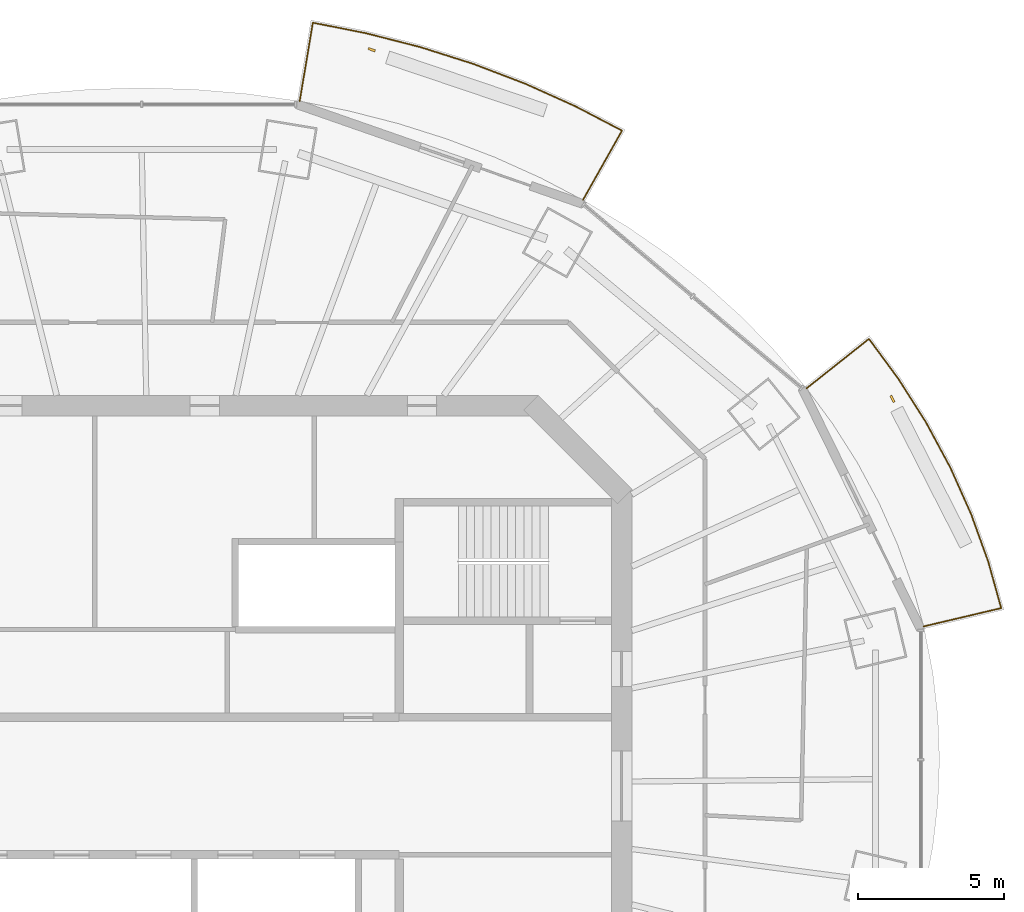
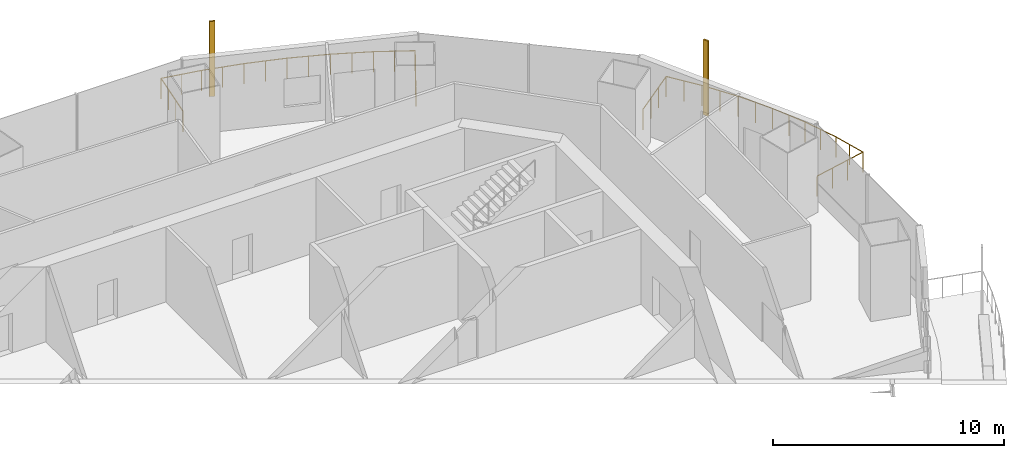
# One storey, part 15 of 16: 2 railings, 2 shading devices.
"""IFC4 building model written with IfcOpenShell, lengths in metres."""

from ifc_helpers import new_model, si_unit, direction, frame, origin, origin_2d, place, context, subcontext, project, spatial, rectangle, circle, extrude, material, material_profile, profile_set, type_object, element, save


model = new_model("IFC4")

# Units and contexts
model_context = context("Model", 3, precision=1e-05, world=origin(), true_north=direction((0.0, 1.0)))
body_context = subcontext(model_context, "Body", "Model", "MODEL_VIEW")
ifc_project = project(units=[si_unit("LENGTHUNIT", "METRE"), si_unit("AREAUNIT", "SQUARE_METRE"), si_unit("VOLUMEUNIT", "CUBIC_METRE"), si_unit("PLANEANGLEUNIT", "RADIAN"), si_unit("MASSUNIT", "GRAM", prefix="KILO")], contexts=[model_context])

# Site, building, storey
site_placement = place(None, origin())
site = spatial("IfcSite", under=ifc_project, at=site_placement, CompositionType="ELEMENT")
building_placement = place(site_placement, origin())
building = spatial("IfcBuilding", under=site, at=building_placement, Name="Marenthal Gate Tower", CompositionType="ELEMENT")
storey_placement = place(building_placement, frame((0.0, 0.0, 338.449951171875)))
storey = spatial("IfcBuildingStorey", under=building, at=storey_placement, Name="L76", CompositionType="ELEMENT", Elevation=338.449951171875)

# Railings
ifc_material_1 = material(Name="Stainless steel", Category="steel")
railing_type = type_object("IfcRailingType", Name="Balcony guard 1100", PredefinedType="GUARDRAIL", material=ifc_material_1)
railing_1_placement = place(storey_placement, frame((22.322998046875, 13.59423828125, 0.0)))
element("IfcRailing", 1, at=railing_1_placement, inside=storey, type_object=railing_type, Name="Balcony guard L76 bay 1", PredefinedType="GUARDRAIL", context=body_context, shape_type="SweptSolid", body=[
    extrude(circle(Radius=0.02392578125, at=origin_2d()), frame((0.0, 0.0, 1.076171875), z_axis=(0.783569480419, 0.621129810329, -0.01471829055), x_axis=(-0.621197098339, 0.783654365786, 0.0)), (0.0, 0.0, 1.0), 2.720458984375),
    extrude(circle(Radius=0.02392578125, at=origin_2d()), frame((2.131591796875, 1.689697265625, 1.0361328125), z_axis=(0.592673479354, -0.805442826569, 0.0), x_axis=(0.805442826569, 0.592673479354, 0.0)), (0.0, 0.0, 1.0), 1.69580078125),
    extrude(circle(Radius=0.02392578125, at=origin_2d()), frame((3.13671875, 0.32373046875, 1.0361328125), z_axis=(0.535835828865, -0.844322192356, 0.0), x_axis=(0.844322192356, 0.535835828865, 0.0)), (0.0, 0.0, 1.0), 1.76318359375),
    extrude(circle(Radius=0.02392578125, at=origin_2d()), frame((4.08154296875, -1.1650390625, 1.0361328125), z_axis=(0.4738837096, -0.880587434487, 0.0), x_axis=(0.880587434487, 0.4738837096, 0.0)), (0.0, 0.0, 1.0), 1.751708984375),
    extrude(circle(Radius=0.02392578125, at=origin_2d()), frame((4.91162109375, -2.70751953125, 1.0361328125), z_axis=(0.40786794588, -0.91304092938, 0.0), x_axis=(0.91304092938, 0.40786794588, 0.0)), (0.0, 0.0, 1.0), 1.7412109375),
    extrude(circle(Radius=0.02392578125, at=origin_2d()), frame((5.621826171875, -4.29736328125, 1.0361328125), z_axis=(0.338924060667, -0.940813733478, 0.0), x_axis=(0.940813733478, 0.338924060667, 0.0)), (0.0, 0.0, 1.0), 1.732421875),
    extrude(circle(Radius=0.02392578125, at=origin_2d()), frame((6.208984375, -5.92724609375, 1.0361328125), z_axis=(0.268600452735, -0.963251678841, 0.0), x_axis=(0.963251678841, 0.268600452735, 0.0)), (0.0, 0.0, 1.0), 1.645263671875),
    extrude(circle(Radius=0.02392578125, at=origin_2d()), frame((6.65087890625, -7.511962890625, 1.0361328125), z_axis=(-0.97315730439, -0.229669790827, 0.014718970573), x_axis=(0.229694673631, -0.973262737859, 0.0)), (0.0, 0.0, 1.0), 2.72021484375),
    extrude(circle(Radius=0.02099609375, at=origin_2d()), origin(), (0.0, 0.0, 1.0), 1.052001953125),
    extrude(circle(Radius=0.02099609375, at=origin_2d()), frame((0.71044921875, 0.563232421875, -0.013427734375)), (0.0, 0.0, 1.0), 1.052001953125),
    extrude(circle(Radius=0.02099609375, at=origin_2d()), frame((1.421142578125, 1.12646484375, -0.026611328125)), (0.0, 0.0, 1.0), 1.052001953125),
    extrude(circle(Radius=0.02099609375, at=origin_2d()), frame((2.131591796875, 1.689697265625, -0.0400390625)), (0.0, 0.0, 1.0), 1.052001953125),
    extrude(circle(Radius=0.02099609375, at=origin_2d()), frame((2.63427734375, 1.0068359375, -0.0400390625)), (0.0, 0.0, 1.0), 1.052001953125),
    extrude(circle(Radius=0.02099609375, at=origin_2d()), frame((3.13671875, 0.32373046875, -0.0400390625)), (0.0, 0.0, 1.0), 1.052001953125),
    extrude(circle(Radius=0.02099609375, at=origin_2d()), frame((3.609130859375, -0.420654296875, -0.0400390625)), (0.0, 0.0, 1.0), 1.052001953125),
    extrude(circle(Radius=0.02099609375, at=origin_2d()), frame((4.08154296875, -1.1650390625, -0.0400390625)), (0.0, 0.0, 1.0), 1.052001953125),
    extrude(circle(Radius=0.02099609375, at=origin_2d()), frame((4.49658203125, -1.936279296875, -0.0400390625)), (0.0, 0.0, 1.0), 1.052001953125),
    extrude(circle(Radius=0.02099609375, at=origin_2d()), frame((4.91162109375, -2.70751953125, -0.0400390625)), (0.0, 0.0, 1.0), 1.052001953125),
    extrude(circle(Radius=0.02099609375, at=origin_2d()), frame((5.2666015625, -3.50244140625, -0.0400390625)), (0.0, 0.0, 1.0), 1.052001953125),
    extrude(circle(Radius=0.02099609375, at=origin_2d()), frame((5.621826171875, -4.29736328125, -0.0400390625)), (0.0, 0.0, 1.0), 1.052001953125),
    extrude(circle(Radius=0.02099609375, at=origin_2d()), frame((5.91552734375, -5.1123046875, -0.0400390625)), (0.0, 0.0, 1.0), 1.052001953125),
    extrude(circle(Radius=0.02099609375, at=origin_2d()), frame((6.208984375, -5.92724609375, -0.0400390625)), (0.0, 0.0, 1.0), 1.052001953125),
    extrude(circle(Radius=0.02099609375, at=origin_2d()), frame((6.429931640625, -6.7197265625, -0.0400390625)), (0.0, 0.0, 1.0), 1.052001953125),
    extrude(circle(Radius=0.02099609375, at=origin_2d()), frame((6.65087890625, -7.511962890625, -0.0400390625)), (0.0, 0.0, 1.0), 1.052001953125),
    extrude(circle(Radius=0.02099609375, at=origin_2d()), frame((5.7685546875, -7.72021484375, -0.026611328125)), (0.0, 0.0, 1.0), 1.052001953125),
    extrude(circle(Radius=0.02099609375, at=origin_2d()), frame((4.885986328125, -7.928466796875, -0.013427734375)), (0.0, 0.0, 1.0), 1.052001953125),
    extrude(circle(Radius=0.02099609375, at=origin_2d()), frame((4.003662109375, -8.13671875, 0.0)), (0.0, 0.0, 1.0), 1.052001953125),
])
railing_2_placement = place(storey_placement, frame((4.998779296875, 23.407470703125, 0.0)))
element("IfcRailing", 2, at=railing_2_placement, inside=storey, type_object=railing_type, Name="Balcony guard L76 bay 3", PredefinedType="GUARDRAIL", context=body_context, shape_type="SweptSolid", body=[
    extrude(circle(Radius=0.02392578125, at=origin_2d()), frame((0.0, 0.0, 1.076171875), z_axis=(0.165312526275, 0.986131399953, -0.014718379104), x_axis=(-0.98623823047, 0.165330435068, 0.0)), (0.0, 0.0, 1.0), 2.720458984375),
    extrude(circle(Radius=0.02392578125, at=origin_2d()), frame((0.44970703125, 2.6826171875, 1.0361328125), z_axis=(0.981021353845, -0.193899724859, 0.0), x_axis=(0.193899724859, 0.981021353845, 0.0)), (0.0, 0.0, 1.0), 1.84326171875),
    extrude(circle(Radius=0.02392578125, at=origin_2d()), frame((2.258056640625, 2.3251953125, 1.0361328125), z_axis=(0.96890861354, -0.24741887278, 0.0), x_axis=(0.24741887278, 0.96890861354, 0.0)), (0.0, 0.0, 1.0), 1.916259765625),
    extrude(circle(Radius=0.02392578125, at=origin_2d()), frame((4.11474609375, 1.85107421875, 1.0361328125), z_axis=(0.953251321023, -0.302178620963, 0.0), x_axis=(0.302178620963, 0.953251321023, 0.0)), (0.0, 0.0, 1.0), 1.907470703125),
    extrude(circle(Radius=0.02392578125, at=origin_2d()), frame((5.93310546875, 1.274658203125, 1.0361328125), z_axis=(0.934293977025, -0.356503526623, 0.0), x_axis=(0.356503526623, 0.934293977025, 0.0)), (0.0, 0.0, 1.0), 1.897705078125),
    extrude(circle(Radius=0.02392578125, at=origin_2d()), frame((7.7060546875, 0.59814453125, 1.0361328125), z_axis=(0.91188517307, -0.410445405792, 0.0), x_axis=(0.410445405792, 0.91188517307, 0.0)), (0.0, 0.0, 1.0), 1.88623046875),
    extrude(circle(Radius=0.02392578125, at=origin_2d()), frame((9.426025390625, -0.176025390625, 1.0361328125), z_axis=(0.886478038646, -0.462770663503, 0.0), x_axis=(0.462770663503, 0.886478038646, 0.0)), (0.0, 0.0, 1.0), 1.793701171875),
    extrude(circle(Radius=0.02392578125, at=origin_2d()), frame((11.01611328125, -1.006103515625, 1.0361328125), z_axis=(-0.490672529522, -0.87121972637, 0.014719278369), x_axis=(0.871314119703, -0.490725692018, 0.0)), (0.0, 0.0, 1.0), 2.72021484375),
    extrude(circle(Radius=0.02099609375, at=origin_2d()), origin(), (0.0, 0.0, 1.0), 1.052001953125),
    extrude(circle(Radius=0.02099609375, at=origin_2d()), frame((0.14990234375, 0.894287109375, -0.013427734375)), (0.0, 0.0, 1.0), 1.052001953125),
    extrude(circle(Radius=0.02099609375, at=origin_2d()), frame((0.2998046875, 1.788330078125, -0.026611328125)), (0.0, 0.0, 1.0), 1.052001953125),
    extrude(circle(Radius=0.02099609375, at=origin_2d()), frame((0.44970703125, 2.6826171875, -0.0400390625)), (0.0, 0.0, 1.0), 1.052001953125),
    extrude(circle(Radius=0.02099609375, at=origin_2d()), frame((1.35400390625, 2.50390625, -0.0400390625)), (0.0, 0.0, 1.0), 1.052001953125),
    extrude(circle(Radius=0.02099609375, at=origin_2d()), frame((2.258056640625, 2.3251953125, -0.0400390625)), (0.0, 0.0, 1.0), 1.052001953125),
    extrude(circle(Radius=0.02099609375, at=origin_2d()), frame((3.1865234375, 2.088134765625, -0.0400390625)), (0.0, 0.0, 1.0), 1.052001953125),
    extrude(circle(Radius=0.02099609375, at=origin_2d()), frame((4.11474609375, 1.85107421875, -0.0400390625)), (0.0, 0.0, 1.0), 1.052001953125),
    extrude(circle(Radius=0.02099609375, at=origin_2d()), frame((5.02392578125, 1.56298828125, -0.0400390625)), (0.0, 0.0, 1.0), 1.052001953125),
    extrude(circle(Radius=0.02099609375, at=origin_2d()), frame((5.93310546875, 1.274658203125, -0.0400390625)), (0.0, 0.0, 1.0), 1.052001953125),
    extrude(circle(Radius=0.02099609375, at=origin_2d()), frame((6.819580078125, 0.9365234375, -0.0400390625)), (0.0, 0.0, 1.0), 1.052001953125),
    extrude(circle(Radius=0.02099609375, at=origin_2d()), frame((7.7060546875, 0.59814453125, -0.0400390625)), (0.0, 0.0, 1.0), 1.052001953125),
    extrude(circle(Radius=0.02099609375, at=origin_2d()), frame((8.56591796875, 0.2109375, -0.0400390625)), (0.0, 0.0, 1.0), 1.052001953125),
    extrude(circle(Radius=0.02099609375, at=origin_2d()), frame((9.426025390625, -0.176025390625, -0.0400390625)), (0.0, 0.0, 1.0), 1.052001953125),
    extrude(circle(Radius=0.02099609375, at=origin_2d()), frame((10.22119140625, -0.591064453125, -0.0400390625)), (0.0, 0.0, 1.0), 1.052001953125),
    extrude(circle(Radius=0.02099609375, at=origin_2d()), frame((11.01611328125, -1.006103515625, -0.0400390625)), (0.0, 0.0, 1.0), 1.052001953125),
    extrude(circle(Radius=0.02099609375, at=origin_2d()), frame((10.5712890625, -1.796142578125, -0.026611328125)), (0.0, 0.0, 1.0), 1.052001953125),
    extrude(circle(Radius=0.02099609375, at=origin_2d()), frame((10.126220703125, -2.5859375, -0.013427734375)), (0.0, 0.0, 1.0), 1.052001953125),
    extrude(circle(Radius=0.02099609375, at=origin_2d()), frame((9.681396484375, -3.3759765625, 0.0)), (0.0, 0.0, 1.0), 1.052001953125),
])

# Shading devices
ifc_material_2 = material(Name="Terracotta", Category="masonry")
ifc_material_profile = material_profile(ifc_material_2, rectangle(XDim=0.25, YDim=0.080078125, at=origin_2d()), Name="Terracotta baguette 250x80")
ifc_profile_set = profile_set([ifc_material_profile], Name="Terracotta")
shading_device_type = type_object("IfcShadingDeviceType", Name="Terracotta BAGUETTE SCREEN 250x80", PredefinedType="USERDEFINED", material=ifc_profile_set)
for number, where, z_axis, x_axis, name in (
    (3, (25.25830078125, 13.232421875, -0.0400390625), (0.0, 0.0, 1.0), (-0.441297921184, 0.897360654787, 0.0), "Terracotta BAGUETTE L76 bay 1R"),
    (4, (7.461181640625, 25.16748046875, -0.0400390625), (0.0, 0.0, 1.0), (-0.944185799872, 0.329413380602, 0.0), "Terracotta BAGUETTE L76 bay 3R"),
):
    element("IfcShadingDevice", number, at=place(storey_placement, frame(where, z_axis=z_axis, x_axis=x_axis)), inside=storey, type_object=shading_device_type, Name=name, ObjectType="BAGUETTE SCREEN", PredefinedType="USERDEFINED", context=body_context, shape_type="SweptSolid", body=[
        extrude(rectangle(XDim=0.25, YDim=0.080078125, at=origin_2d()), origin(), (0.0, 0.0, 1.0), 3.969970703125),
    ])

save(model, "model.ifc")
